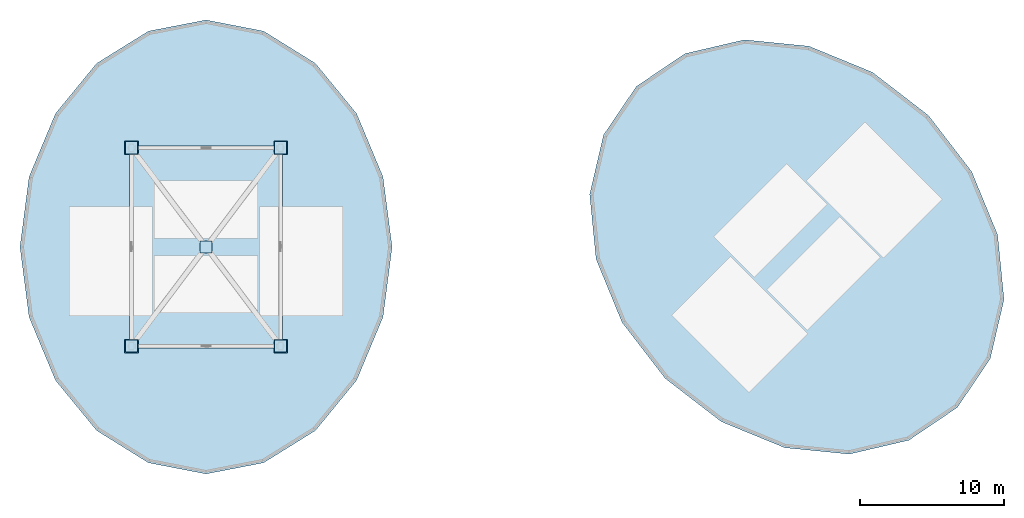
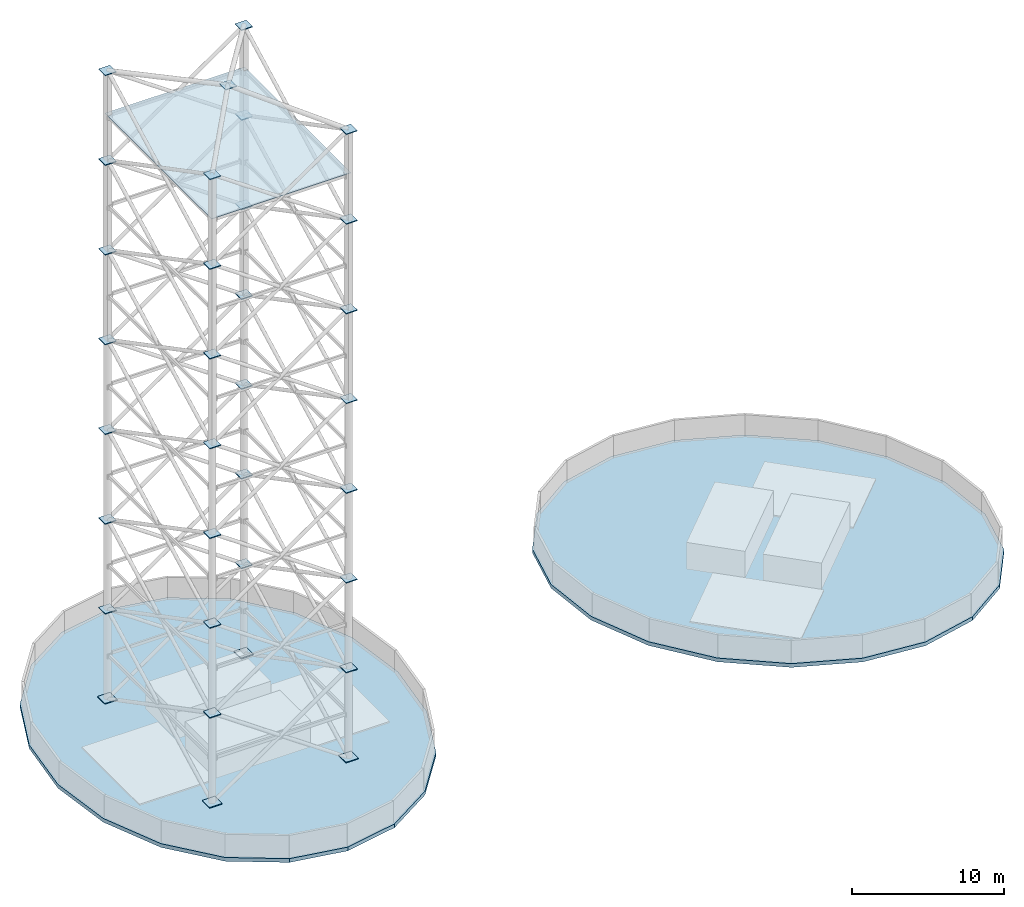
# One storey, part 3 of 7: 34 plates, 2 slabs.
"""IFC4 building model written with IfcOpenShell, lengths in metres."""

from ifc_helpers import new_model, si_unit, direction, frame, origin, origin_2d, place, context, subcontext, project, spatial, polyline, rectangle, outline, extrude, source, transform, mapped, material, layer, layer_set, type_object, element, save


model = new_model("IFC4")

# Units and contexts
model_context = context("Model", 3, precision=1e-05, world=origin(), true_north=direction((0.0, 1.0)))
body_context = subcontext(model_context, "Body", "Model", "MODEL_VIEW")
ifc_project = project(units=[si_unit("LENGTHUNIT", "METRE"), si_unit("AREAUNIT", "SQUARE_METRE"), si_unit("VOLUMEUNIT", "CUBIC_METRE"), si_unit("PLANEANGLEUNIT", "RADIAN"), si_unit("MASSUNIT", "GRAM", prefix="KILO")], contexts=[model_context])

# Site, building, storey
site_placement = place(None, origin())
site = spatial("IfcSite", under=ifc_project, at=site_placement, CompositionType="ELEMENT")
building_placement = place(site_placement, origin())
building = spatial("IfcBuilding", under=site, at=building_placement, Name="Cununo Teusaquillo Station Towers", CompositionType="ELEMENT")
storey_placement = place(building_placement, frame((0.0, 0.0, 244.830078125)))
storey = spatial("IfcBuildingStorey", under=building, at=storey_placement, Name="Roof Drum", CompositionType="ELEMENT", Elevation=244.830078125)

# Slabs
ifc_material_1 = material(Name="Concrete C50/60", Category="concrete")
ifc_layer_1 = layer(ifc_material_1, 0.300048828125)
ifc_layer_set_1 = layer_set([ifc_layer_1], Name="Concrete C50/60")
slab_type = type_object("IfcSlabType", Name="SLB-ROOF-300", PredefinedType="ROOF", material=ifc_layer_set_1)
slab_1_placement = place(storey_placement, frame((0.0, 0.0, -0.300048828125)))
element("IfcSlab", 1, at=slab_1_placement, inside=storey, type_object=slab_type, Name="Roof Drum Tower A Roof Slab", PredefinedType="ROOF", context=body_context, shape_type="SweptSolid", body=[
    extrude(outline(polyline([(29.409912109375, 24.5), (28.778076171875, 29.366943359375), (26.9443359375, 33.757568359375), (24.08837890625, 37.241943359375), (20.489501953125, 39.47900390625), (16.5, 40.25), (12.510498046875, 39.47900390625), (8.91162109375, 37.241943359375), (6.0556640625, 33.757568359375), (4.221923828125, 29.366943359375), (3.590087890625, 24.5), (4.221923828125, 19.633056640625), (6.0556640625, 15.242431640625), (8.91162109375, 11.758056640625), (12.510498046875, 9.52099609375), (16.5, 8.75), (20.489501953125, 9.52099609375), (24.08837890625, 11.758056640625), (26.9443359375, 15.242431640625), (28.778076171875, 19.633056640625), (29.409912109375, 24.5)])), origin(), (0.0, 0.0, 1.0), 0.300048828125),
])
slab_2_placement = place(storey_placement, frame((0.0, 0.0, -0.300048828125)))
element("IfcSlab", 2, at=slab_2_placement, inside=storey, type_object=slab_type, Name="Roof Drum Tower B Roof Slab", PredefinedType="ROOF", context=body_context, shape_type="SweptSolid", body=[
    extrude(outline(polyline([(66.628662109375, 33.628662109375), (62.740478515625, 36.623291015625), (58.339111328125, 38.431396484375), (53.855712890625, 38.875732421875), (49.72900390625, 37.912841796875), (46.363037109375, 35.636962890625), (44.087158203125, 32.27099609375), (43.124267578125, 28.144287109375), (43.568603515625, 23.660888671875), (45.376708984375, 19.259521484375), (48.371337890625, 15.371337890625), (52.259521484375, 12.376708984375), (56.660888671875, 10.568603515625), (61.144287109375, 10.124267578125), (65.27099609375, 11.087158203125), (68.636962890625, 13.363037109375), (70.912841796875, 16.72900390625), (71.875732421875, 20.855712890625), (71.431396484375, 25.339111328125), (69.623291015625, 29.740478515625), (66.628662109375, 33.628662109375)])), origin(), (0.0, 0.0, 1.0), 0.300048828125),
])

# Plates
ifc_material_2 = material(Name="Steel ASTM A572 Grade 50", Category="steel")
ifc_layer_2 = layer(ifc_material_2, 0.06494140625)
ifc_layer_set_2 = layer_set([ifc_layer_2], Name="Steel ASTM A572 Grade 50")
plate_type_1 = type_object("IfcPlateType", Name="PLT-BASE-MAST", PredefinedType="USERDEFINED", material=ifc_layer_set_2)
shared_shape_1 = source(origin(), body_context, "Body", "SweptSolid", [
    extrude(rectangle(XDim=0.949951171875, YDim=0.949951171875, at=origin_2d()), origin(), (0.0, 0.0, 1.0), 0.06494140625),
])
for number, where, z_axis, x_axis, name in (
    (3, (11.324951171875, 17.6201171875, 0.0), (0.0, 0.0, 1.0), (1.0, 0.0, 0.0), "Broadcast Mast Base Plate BPM1 Leg 1"),
    (4, (21.675048828125, 17.6201171875, 0.0), (0.0, 0.0, 1.0), (1.0, 0.0, 0.0), "Broadcast Mast Base Plate BPM1 Leg 2"),
    (5, (21.675048828125, 31.3798828125, 0.0), (0.0, 0.0, 1.0), (1.0, 0.0, 0.0), "Broadcast Mast Base Plate BPM1 Leg 3"),
    (6, (11.324951171875, 31.3798828125, 0.0), (0.0, 0.0, 1.0), (1.0, 0.0, 0.0), "Broadcast Mast Base Plate BPM1 Leg 4"),
):
    element("IfcPlate", number, at=place(storey_placement, frame(where, z_axis=z_axis, x_axis=x_axis)), inside=storey, type_object=plate_type_1, Name=name, ObjectType="BASE PLATE", PredefinedType="USERDEFINED", context=body_context, shape_type="MappedRepresentation", body=[
        mapped(shared_shape_1, transform((0.0, 0.0, 0.0), x_axis=(1.0, 0.0, 0.0), y_axis=(0.0, 1.0, 0.0), z_axis=(0.0, 0.0, 1.0), scale=1.0)),
    ])
shared_shape_2 = source(origin(), body_context, "Body", "SweptSolid", [
    extrude(rectangle(XDim=0.85009765625, YDim=0.85009765625, at=origin_2d()), origin(), (0.0, 0.0, 1.0), 0.06494140625),
])
for number, where, z_axis, x_axis, name in (
    (7, (11.324951171875, 17.6201171875, 7.16748046875), (0.0, 0.0, 1.0), (1.0, 0.0, 0.0), "Broadcast Mast Tier Splice Plate 1.1"),
    (8, (21.675048828125, 17.6201171875, 7.16748046875), (0.0, 0.0, 1.0), (1.0, 0.0, 0.0), "Broadcast Mast Tier Splice Plate 1.2"),
    (9, (21.675048828125, 31.3798828125, 7.16748046875), (0.0, 0.0, 1.0), (1.0, 0.0, 0.0), "Broadcast Mast Tier Splice Plate 1.3"),
    (10, (11.324951171875, 31.3798828125, 7.16748046875), (0.0, 0.0, 1.0), (1.0, 0.0, 0.0), "Broadcast Mast Tier Splice Plate 1.4"),
    (11, (11.324951171875, 17.6201171875, 14.367431640625), (0.0, 0.0, 1.0), (1.0, 0.0, 0.0), "Broadcast Mast Tier Splice Plate 2.1"),
    (12, (21.675048828125, 17.6201171875, 14.367431640625), (0.0, 0.0, 1.0), (1.0, 0.0, 0.0), "Broadcast Mast Tier Splice Plate 2.2"),
    (13, (21.675048828125, 31.3798828125, 14.367431640625), (0.0, 0.0, 1.0), (1.0, 0.0, 0.0), "Broadcast Mast Tier Splice Plate 2.3"),
    (14, (11.324951171875, 31.3798828125, 14.367431640625), (0.0, 0.0, 1.0), (1.0, 0.0, 0.0), "Broadcast Mast Tier Splice Plate 2.4"),
    (15, (11.324951171875, 17.6201171875, 21.5673828125), (0.0, 0.0, 1.0), (1.0, 0.0, 0.0), "Broadcast Mast Tier Splice Plate 3.1"),
    (16, (21.675048828125, 17.6201171875, 21.5673828125), (0.0, 0.0, 1.0), (1.0, 0.0, 0.0), "Broadcast Mast Tier Splice Plate 3.2"),
    (17, (21.675048828125, 31.3798828125, 21.5673828125), (0.0, 0.0, 1.0), (1.0, 0.0, 0.0), "Broadcast Mast Tier Splice Plate 3.3"),
    (18, (11.324951171875, 31.3798828125, 21.5673828125), (0.0, 0.0, 1.0), (1.0, 0.0, 0.0), "Broadcast Mast Tier Splice Plate 3.4"),
    (19, (11.324951171875, 17.6201171875, 28.767333984375), (0.0, 0.0, 1.0), (1.0, 0.0, 0.0), "Broadcast Mast Tier Splice Plate 4.1"),
    (20, (21.675048828125, 17.6201171875, 28.767333984375), (0.0, 0.0, 1.0), (1.0, 0.0, 0.0), "Broadcast Mast Tier Splice Plate 4.2"),
    (21, (21.675048828125, 31.3798828125, 28.767333984375), (0.0, 0.0, 1.0), (1.0, 0.0, 0.0), "Broadcast Mast Tier Splice Plate 4.3"),
    (22, (11.324951171875, 31.3798828125, 28.767333984375), (0.0, 0.0, 1.0), (1.0, 0.0, 0.0), "Broadcast Mast Tier Splice Plate 4.4"),
    (23, (11.324951171875, 17.6201171875, 35.967529296875), (0.0, 0.0, 1.0), (1.0, 0.0, 0.0), "Broadcast Mast Tier Splice Plate 5.1"),
    (24, (21.675048828125, 17.6201171875, 35.967529296875), (0.0, 0.0, 1.0), (1.0, 0.0, 0.0), "Broadcast Mast Tier Splice Plate 5.2"),
    (25, (21.675048828125, 31.3798828125, 35.967529296875), (0.0, 0.0, 1.0), (1.0, 0.0, 0.0), "Broadcast Mast Tier Splice Plate 5.3"),
    (26, (11.324951171875, 31.3798828125, 35.967529296875), (0.0, 0.0, 1.0), (1.0, 0.0, 0.0), "Broadcast Mast Tier Splice Plate 5.4"),
    (27, (11.324951171875, 17.6201171875, 43.16748046875), (0.0, 0.0, 1.0), (1.0, 0.0, 0.0), "Broadcast Mast Tier Splice Plate 6.1"),
    (28, (21.675048828125, 17.6201171875, 43.16748046875), (0.0, 0.0, 1.0), (1.0, 0.0, 0.0), "Broadcast Mast Tier Splice Plate 6.2"),
    (29, (21.675048828125, 31.3798828125, 43.16748046875), (0.0, 0.0, 1.0), (1.0, 0.0, 0.0), "Broadcast Mast Tier Splice Plate 6.3"),
    (30, (11.324951171875, 31.3798828125, 43.16748046875), (0.0, 0.0, 1.0), (1.0, 0.0, 0.0), "Broadcast Mast Tier Splice Plate 6.4"),
    (31, (11.324951171875, 17.6201171875, 50.367431640625), (0.0, 0.0, 1.0), (1.0, 0.0, 0.0), "Broadcast Mast Tier Splice Plate 7.1"),
    (32, (21.675048828125, 17.6201171875, 50.367431640625), (0.0, 0.0, 1.0), (1.0, 0.0, 0.0), "Broadcast Mast Tier Splice Plate 7.2"),
    (33, (21.675048828125, 31.3798828125, 50.367431640625), (0.0, 0.0, 1.0), (1.0, 0.0, 0.0), "Broadcast Mast Tier Splice Plate 7.3"),
    (34, (11.324951171875, 31.3798828125, 50.367431640625), (0.0, 0.0, 1.0), (1.0, 0.0, 0.0), "Broadcast Mast Tier Splice Plate 7.4"),
    (35, (16.5, 24.5, 51.5673828125), (0.0, 0.0, 1.0), (1.0, 0.0, 0.0), "Broadcast Mast Pinnacle Apex Node Plate"),
):
    element("IfcPlate", number, at=place(storey_placement, frame(where, z_axis=z_axis, x_axis=x_axis)), inside=storey, type_object=plate_type_1, Name=name, ObjectType="BASE PLATE", PredefinedType="USERDEFINED", context=body_context, shape_type="MappedRepresentation", body=[
        mapped(shared_shape_2, transform((0.0, 0.0, 0.0), x_axis=(1.0, 0.0, 0.0), y_axis=(0.0, 1.0, 0.0), z_axis=(0.0, 0.0, 1.0), scale=1.0)),
    ])
ifc_material_3 = material(Name="Steel ASTM A572 Grade 50", Category="steel")
ifc_layer_3 = layer(ifc_material_3, 0.0400390625)
ifc_layer_set_3 = layer_set([ifc_layer_3], Name="Steel ASTM A572 Grade 50")
plate_type_2 = type_object("IfcPlateType", Name="PLT-MAST-DECK", PredefinedType="SHEET", material=ifc_layer_set_3)
shared_shape_3 = source(origin(), body_context, "Body", "SweptSolid", [
    extrude(rectangle(XDim=10.60009765625, YDim=14.0, at=origin_2d()), origin(), (0.0, 0.0, 1.0), 0.0400390625),
])
plate_placement = place(storey_placement, frame((16.5, 24.5, 46.9248046875), z_axis=(0.0, 0.0, 1.0), x_axis=(1.0, 0.0, 0.0)))
element("IfcPlate", 36, at=plate_placement, inside=storey, type_object=plate_type_2, Name="Broadcast Mast Upper Maintenance Grille Deck Plate", PredefinedType="SHEET", context=body_context, shape_type="MappedRepresentation", body=[
    mapped(shared_shape_3, transform((0.0, 0.0, 0.0), x_axis=(1.0, 0.0, 0.0), y_axis=(0.0, 1.0, 0.0), z_axis=(0.0, 0.0, 1.0), scale=1.0)),
])

save(model, "model.ifc")
